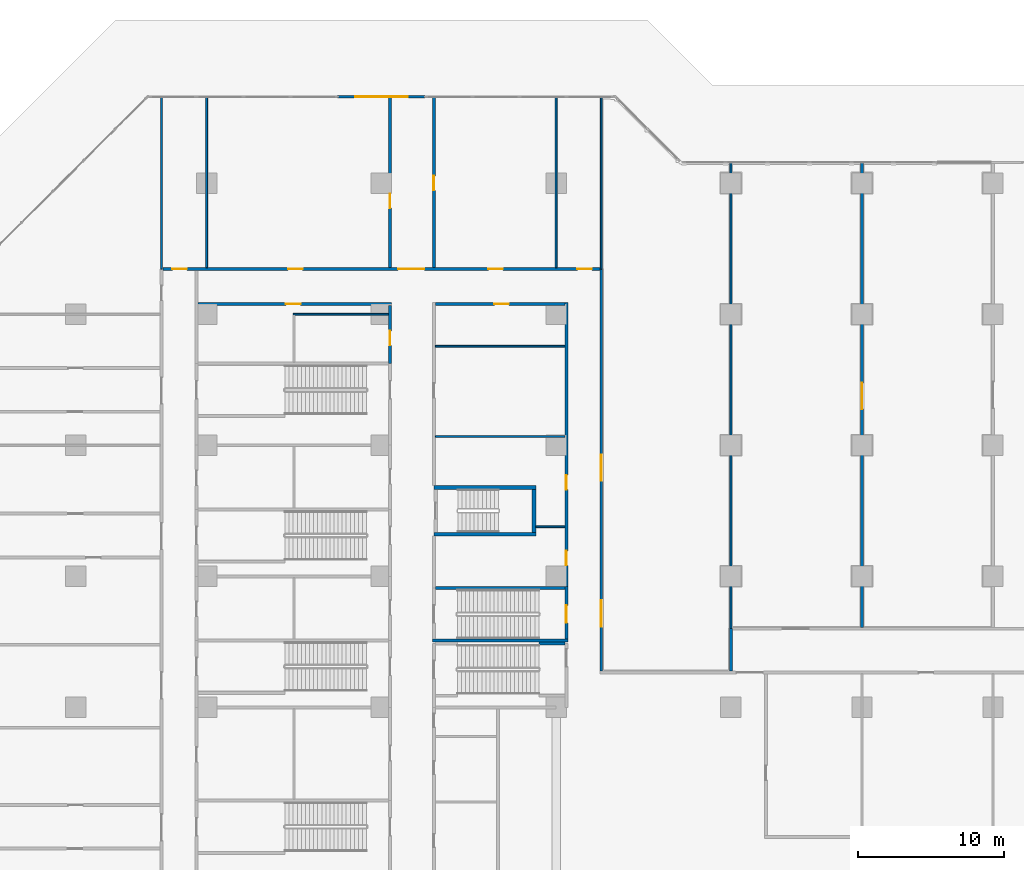
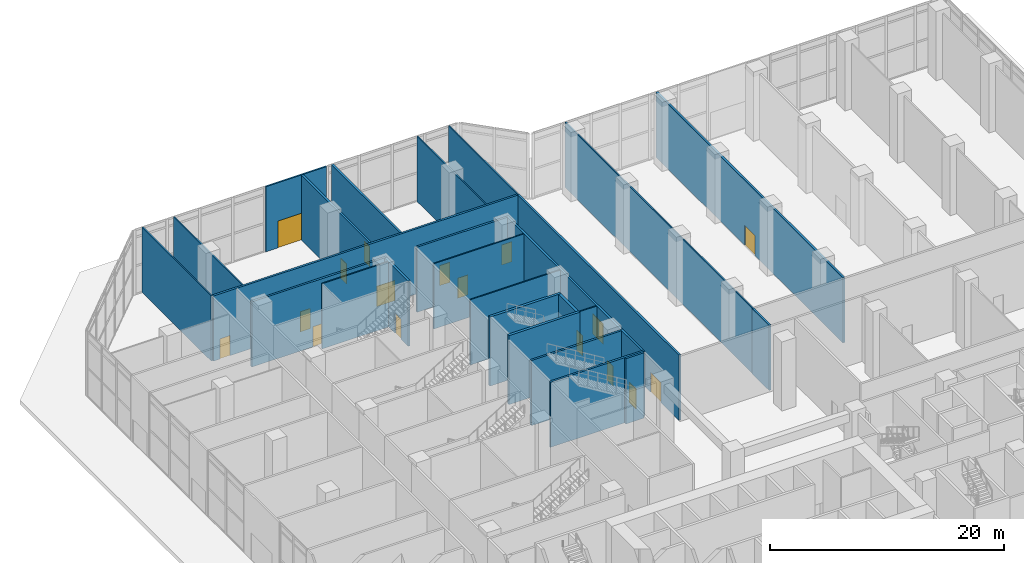
# One storey, part 25 of 34: 27 walls, 17 doors, 17 openings.
"""IFC4 building model written with IfcOpenShell, lengths in metres."""

from ifc_helpers import new_model, si_unit, direction, frame, frame_2d, origin, place, context, subcontext, project, spatial, rectangle, extrude, material, layer, layer_set, type_object, element, fill, save


model = new_model("IFC4")

# Units and contexts
model_context = context("Model", 3, precision=1e-05, world=origin(), true_north=direction((0.0, 1.0)))
body_context = subcontext(model_context, "Body", "Model", "MODEL_VIEW")
ifc_project = project(units=[si_unit("LENGTHUNIT", "METRE"), si_unit("AREAUNIT", "SQUARE_METRE"), si_unit("VOLUMEUNIT", "CUBIC_METRE"), si_unit("PLANEANGLEUNIT", "RADIAN"), si_unit("MASSUNIT", "GRAM", prefix="KILO")], contexts=[model_context])

# Site, building, storey
site_placement = place(None, origin())
site = spatial("IfcSite", under=ifc_project, at=site_placement, CompositionType="ELEMENT")
building_placement = place(site_placement, origin())
building = spatial("IfcBuilding", under=site, at=building_placement, Name="Chenar Terraces", CompositionType="ELEMENT")
storey_placement = place(building_placement, origin())
storey = spatial("IfcBuildingStorey", under=building, at=storey_placement, Name="L00", CompositionType="ELEMENT", Elevation=0.0)

# Walls
ifc_material_1 = material(Name="Gypsum board on steel studs with mineral wool", Category="steel")
ifc_layer_1 = layer(ifc_material_1, 0.125)
ifc_layer_set_1 = layer_set([ifc_layer_1], Name="Gypsum board on steel studs with mineral wool")
wall_type_1 = type_object("IfcWallType", Name="Acoustic partition 125", PredefinedType="PARTITIONING", material=ifc_layer_set_1)
wall_1_placement = place(storey_placement, frame((-3.10009765625, 66.10009765625, 0.0), z_axis=(0.0, 0.0, 1.0), x_axis=(0.0, 1.0, 0.0)))
element("IfcWall", 1, at=wall_1_placement, inside=storey, type_object=wall_type_1, Name="Partition L00-017", PredefinedType="PARTITIONING", context=body_context, shape_type="SweptSolid", body=[
    extrude(rectangle(XDim=11.824951171875, YDim=0.125, at=frame_2d((5.91259765625, 0.0))), origin(), (0.0, 0.0, 1.0), 6.800048828125),
])
wall_2_placement = place(storey_placement, frame((0.0, 66.199951171875, 0.0), z_axis=(0.0, 0.0, 1.0), x_axis=(0.0, 1.0, 0.0)))
element("IfcWall", 2, at=wall_2_placement, inside=storey, type_object=wall_type_1, Name="Partition L00-040", PredefinedType="PARTITIONING", context=body_context, shape_type="SweptSolid", body=[
    extrude(rectangle(XDim=11.72509765625, YDim=0.125, at=frame_2d((5.862548828125, 0.0))), origin(), (0.0, 0.0, 1.0), 6.800048828125),
])
wall_3_placement = place(storey_placement, frame((5.93798828125, 63.0, 0.0), z_axis=(0.0, 0.0, 1.0), x_axis=(1.0, 0.0, 0.0)))
element("IfcWall", 3, at=wall_3_placement, inside=storey, type_object=wall_type_1, Name="Partition L00-042", PredefinedType="PARTITIONING", context=body_context, shape_type="SweptSolid", body=[
    extrude(rectangle(XDim=6.56201171875, YDim=0.125, at=frame_2d((3.281005859375, 0.0))), origin(), (0.0, 0.0, 1.0), 6.800048828125),
])
for number, where, z_axis, x_axis, name in (
    (4, (15.699951171875, 54.60009765625, 0.0), (0.0, 0.0, 1.0), (1.0, 0.0, 0.0), "Partition L00-070"),
    (5, (15.699951171875, 60.800048828125, 0.0), (0.0, 0.0, 1.0), (1.0, 0.0, 0.0), "Partition L00-071"),
):
    element("IfcWall", number, at=place(storey_placement, frame(where, z_axis=z_axis, x_axis=x_axis)), inside=storey, type_object=wall_type_1, Name=name, PredefinedType="PARTITIONING", context=body_context, shape_type="SweptSolid", body=[
        extrude(rectangle(XDim=8.900146484375, YDim=0.125, at=frame_2d((4.4501953125, 0.0))), origin(), (0.0, 0.0, 1.0), 6.800048828125),
    ])
wall_4_placement = place(storey_placement, frame((22.60009765625, 48.39990234375, 0.0), z_axis=(0.0, 0.0, 1.0), x_axis=(1.0, 0.0, 0.0)))
element("IfcWall", 6, at=wall_4_placement, inside=storey, type_object=wall_type_1, Name="Partition L00-074", PredefinedType="PARTITIONING", context=body_context, shape_type="SweptSolid", body=[
    extrude(rectangle(XDim=2.0, YDim=0.125, at=frame_2d((1.0, 0.0))), origin(), (0.0, 0.0, 1.0), 6.800048828125),
])
wall_5_placement = place(storey_placement, frame((24.0, 66.199951171875, 0.0), z_axis=(0.0, 0.0, 1.0), x_axis=(0.0, 1.0, 0.0)))
element("IfcWall", 7, at=wall_5_placement, inside=storey, type_object=wall_type_1, Name="Partition L00-077", PredefinedType="PARTITIONING", context=body_context, shape_type="SweptSolid", body=[
    extrude(rectangle(XDim=11.72509765625, YDim=0.125, at=frame_2d((5.862548828125, 0.0))), origin(), (0.0, 0.0, 1.0), 6.800048828125),
])
wall_6_placement = place(storey_placement, frame((27.10009765625, 66.10009765625, 0.0), z_axis=(0.0, 0.0, 1.0), x_axis=(0.0, 1.0, 0.0)))
element("IfcWall", 8, at=wall_6_placement, inside=storey, type_object=wall_type_1, Name="Partition L00-083", PredefinedType="PARTITIONING", context=body_context, shape_type="SweptSolid", body=[
    extrude(rectangle(XDim=11.824951171875, YDim=0.125, at=frame_2d((5.91259765625, 0.0))), origin(), (0.0, 0.0, 1.0), 6.800048828125),
])
wall_7_placement = place(storey_placement, frame((36.0, 41.39990234375, 0.0), z_axis=(0.0, 0.0, 1.0), x_axis=(0.0, 1.0, 0.0)))
element("IfcWall", 9, at=wall_7_placement, inside=storey, type_object=wall_type_1, Name="Partition L00-092", PredefinedType="PARTITIONING", context=body_context, shape_type="SweptSolid", body=[
    extrude(rectangle(XDim=32.025146484375, YDim=0.125, at=frame_2d((16.0126953125, 0.0))), origin(), (0.0, 0.0, 1.0), 6.800048828125),
])
ifc_material_2 = material(Name="Concrete C70/85", Category="concrete")
ifc_layer_2 = layer(ifc_material_2, 0.25)
ifc_layer_set_2 = layer_set([ifc_layer_2], Name="Concrete C70/85")
wall_type_2 = type_object("IfcWallType", Name="Core wall 250 Concrete C70/85", PredefinedType="SHEAR", material=ifc_layer_set_2)
for number, where, z_axis, x_axis, name in (
    (10, (15.60009765625, 47.89990234375, 0.0), (0.0, 0.0, 1.0), (1.0, 0.0, 0.0), "Core wall ST4_S L00"),
    (11, (15.60009765625, 51.10009765625, 0.0), (0.0, 0.0, 1.0), (1.0, 0.0, 0.0), "Core wall ST4_N L00"),
):
    element("IfcWall", number, at=place(storey_placement, frame(where, z_axis=z_axis, x_axis=x_axis)), inside=storey, type_object=wall_type_2, Name=name, PredefinedType="SHEAR", context=body_context, shape_type="SweptSolid", body=[
        extrude(rectangle(XDim=7.0, YDim=0.25, at=frame_2d((3.5, 0.0))), origin(), (0.0, 0.0, 1.0), 7.199951171875),
    ])
wall_8_placement = place(storey_placement, frame((22.47509765625, 48.02490234375, 0.0), z_axis=(0.0, 0.0, 1.0), x_axis=(0.0, 1.0, 0.0)))
element("IfcWall", 12, at=wall_8_placement, inside=storey, type_object=wall_type_2, Name="Core wall ST4_E L00", PredefinedType="SHEAR", context=body_context, shape_type="SweptSolid", body=[
    extrude(rectangle(XDim=2.9501953125, YDim=0.25, at=frame_2d((1.47509765625, 0.0))), origin(), (0.0, 0.0, 1.0), 7.199951171875),
])

# Wall, openings, doors
ifc_material_3 = material(Name="Gypsum board on steel studs with fire boards", Category="steel")
ifc_layer_3 = layer(ifc_material_3, 0.199951171875)
ifc_layer_set_3 = layer_set([ifc_layer_3], Name="Gypsum board on steel studs with fire boards")
wall_type_3 = type_object("IfcWallType", Name="Corridor wall 200", PredefinedType="PARTITIONING", material=ifc_layer_set_3)
wall_9_placement = place(storey_placement, frame((-3.0, 66.10009765625, 0.0), z_axis=(0.0, 0.0, 1.0), x_axis=(1.0, 0.0, 0.0)))
wall_9 = element("IfcWall", 13, at=wall_9_placement, inside=storey, type_object=wall_type_3, Name="Partition L00-018", PredefinedType="PARTITIONING", context=body_context, shape_type="SweptSolid", body=[
    extrude(rectangle(XDim=30.0, YDim=0.199951171875, at=frame_2d((15.0, 0.0))), origin(), (0.0, 0.0, 1.0), 6.800048828125),
])
opening_1_placement = place(wall_9_placement, frame((0.64990234375, 0.0, 0.0)))
opening_1 = element("IfcOpeningElement", 14, at=opening_1_placement, cuts=wall_9, Name="Opening DL00-55", PredefinedType="OPENING", context=body_context, shape_type="SweptSolid", body=[
    extrude(rectangle(XDim=1.0, YDim=2.10009765625, at=frame_2d((0.5, 1.050048828125))), frame((0.0, 0.10986328125, 0.0), z_axis=(0.0, -1.0, 0.0), x_axis=(1.0, 0.0, 0.0)), (0.0, 0.0, 1.0), 0.219970703125),
])
opening_2_placement = place(wall_9_placement, frame((8.60009765625, 0.0, 0.0)))
opening_2 = element("IfcOpeningElement", 15, at=opening_2_placement, cuts=wall_9, Name="Opening DL00-56", PredefinedType="OPENING", context=body_context, shape_type="SweptSolid", body=[
    extrude(rectangle(XDim=1.0, YDim=2.10009765625, at=frame_2d((0.5, 1.050048828125))), frame((0.0, 0.10986328125, 0.0), z_axis=(0.0, -1.0, 0.0), x_axis=(1.0, 0.0, 0.0)), (0.0, 0.0, 1.0), 0.219970703125),
])
opening_3_placement = place(wall_9_placement, frame((22.35009765625, 0.0, 0.0)))
opening_3 = element("IfcOpeningElement", 16, at=opening_3_placement, cuts=wall_9, Name="Opening DL00-59", PredefinedType="OPENING", context=body_context, shape_type="SweptSolid", body=[
    extrude(rectangle(XDim=1.0, YDim=2.10009765625, at=frame_2d((0.5, 1.050048828125))), frame((0.0, 0.10986328125, 0.0), z_axis=(0.0, -1.0, 0.0), x_axis=(1.0, 0.0, 0.0)), (0.0, 0.0, 1.0), 0.219970703125),
])
opening_4_placement = place(wall_9_placement, frame((28.449951171875, 0.0, 0.0)))
opening_4 = element("IfcOpeningElement", 17, at=opening_4_placement, cuts=wall_9, Name="Opening DL00-60", PredefinedType="OPENING", context=body_context, shape_type="SweptSolid", body=[
    extrude(rectangle(XDim=1.0, YDim=2.10009765625, at=frame_2d((0.5, 1.050048828125))), frame((0.0, 0.10986328125, 0.0), z_axis=(0.0, -1.0, 0.0), x_axis=(1.0, 0.0, 0.0)), (0.0, 0.0, 1.0), 0.219970703125),
])
opening_5_placement = place(wall_9_placement, frame((16.14990234375, 0.0, 0.0)))
opening_5 = element("IfcOpeningElement", 18, at=opening_5_placement, cuts=wall_9, Name="Opening DL00-103", PredefinedType="OPENING", context=body_context, shape_type="SweptSolid", body=[
    extrude(rectangle(XDim=1.800048828125, YDim=2.10009765625, at=frame_2d((0.89990234375, 1.050048828125))), frame((0.0, 0.10986328125, 0.0), z_axis=(0.0, -1.0, 0.0), x_axis=(1.0, 0.0, 0.0)), (0.0, 0.0, 1.0), 0.219970703125),
])
ifc_material_4 = material(Name="Steel-framed fire-resisting door leaf", Category="steel")
door_type_1 = type_object("IfcDoorType", Name="Fire door FD60 1000 x 2100", OperationType="SINGLE_SWING_LEFT", PredefinedType="DOOR", material=ifc_material_4)
door_1_placement = place(opening_1_placement, origin())
door_1 = element("IfcDoor", 19, at=door_1_placement, inside=storey, type_object=door_type_1, Name="Door DL00-55", OperationType="SINGLE_SWING_LEFT", OverallHeight=2.10009765625, OverallWidth=1.0, PredefinedType="DOOR", context=body_context, shape_type="SweptSolid", body=[
    extrude(rectangle(XDim=1.0, YDim=2.10009765625, at=frame_2d((0.5, 1.050048828125))), frame((0.0, 0.02490234375, 0.0), z_axis=(0.0, -1.0, 0.0), x_axis=(1.0, 0.0, 0.0)), (0.0, 0.0, 1.0), 0.050048828125),
])
fill(opening_1, door_1)
door_2_placement = place(opening_2_placement, origin())
door_2 = element("IfcDoor", 20, at=door_2_placement, inside=storey, type_object=door_type_1, Name="Door DL00-56", OperationType="SINGLE_SWING_RIGHT", OverallHeight=2.10009765625, OverallWidth=1.0, PredefinedType="DOOR", context=body_context, shape_type="SweptSolid", body=[
    extrude(rectangle(XDim=1.0, YDim=2.10009765625, at=frame_2d((0.5, 1.050048828125))), frame((0.0, 0.02490234375, 0.0), z_axis=(0.0, -1.0, 0.0), x_axis=(1.0, 0.0, 0.0)), (0.0, 0.0, 1.0), 0.050048828125),
])
fill(opening_2, door_2)
door_3_placement = place(opening_3_placement, origin())
door_3 = element("IfcDoor", 21, at=door_3_placement, inside=storey, type_object=door_type_1, Name="Door DL00-59", OperationType="SINGLE_SWING_RIGHT", OverallHeight=2.10009765625, OverallWidth=1.0, PredefinedType="DOOR", context=body_context, shape_type="SweptSolid", body=[
    extrude(rectangle(XDim=1.0, YDim=2.10009765625, at=frame_2d((0.5, 1.050048828125))), frame((0.0, 0.02490234375, 0.0), z_axis=(0.0, -1.0, 0.0), x_axis=(1.0, 0.0, 0.0)), (0.0, 0.0, 1.0), 0.050048828125),
])
fill(opening_3, door_3)
door_4_placement = place(opening_4_placement, origin())
door_4 = element("IfcDoor", 22, at=door_4_placement, inside=storey, type_object=door_type_1, Name="Door DL00-60", OperationType="SINGLE_SWING_RIGHT", OverallHeight=2.10009765625, OverallWidth=1.0, PredefinedType="DOOR", context=body_context, shape_type="SweptSolid", body=[
    extrude(rectangle(XDim=1.0, YDim=2.10009765625, at=frame_2d((0.5, 1.050048828125))), frame((0.0, 0.02490234375, 0.0), z_axis=(0.0, -1.0, 0.0), x_axis=(1.0, 0.0, 0.0)), (0.0, 0.0, 1.0), 0.050048828125),
])
fill(opening_4, door_4)
ifc_material_5 = material(Name="Steel-framed fire-resisting door leaf", Category="steel")
door_type_2 = type_object("IfcDoorType", Name="Fire double door FD60 1800 x 2100", OperationType="DOUBLE_DOOR_SINGLE_SWING", PredefinedType="DOOR", material=ifc_material_5)
door_5_placement = place(opening_5_placement, origin())
door_5 = element("IfcDoor", 23, at=door_5_placement, inside=storey, type_object=door_type_2, Name="Door DL00-103", OperationType="DOUBLE_DOOR_SINGLE_SWING", OverallHeight=2.10009765625, OverallWidth=1.800048828125, PredefinedType="DOOR", context=body_context, shape_type="SweptSolid", body=[
    extrude(rectangle(XDim=1.800048828125, YDim=2.10009765625, at=frame_2d((0.89990234375, 1.050048828125))), frame((0.0, 0.02490234375, 0.0), z_axis=(0.0, -1.0, 0.0), x_axis=(1.0, 0.0, 0.0)), (0.0, 0.0, 1.0), 0.050048828125),
])
fill(opening_5, door_5)

# Wall, opening, door
wall_10_placement = place(storey_placement, frame((-0.60009765625, 63.699951171875, 0.0), z_axis=(0.0, 0.0, 1.0), x_axis=(1.0, 0.0, 0.0)))
wall_10 = element("IfcWall", 24, at=wall_10_placement, inside=storey, type_object=wall_type_3, Name="Partition L00-039", PredefinedType="PARTITIONING", context=body_context, shape_type="SweptSolid", body=[
    extrude(rectangle(XDim=13.300048828125, YDim=0.199951171875, at=frame_2d((6.64990234375, 0.0))), origin(), (0.0, 0.0, 1.0), 6.800048828125),
])
opening_6_placement = place(wall_10_placement, frame((6.050048828125, 0.0, 0.0)))
opening_6 = element("IfcOpeningElement", 25, at=opening_6_placement, cuts=wall_10, Name="Opening DL00-38", PredefinedType="OPENING", context=body_context, shape_type="SweptSolid", body=[
    extrude(rectangle(XDim=1.0, YDim=2.10009765625, at=frame_2d((0.5, 1.050048828125))), frame((0.0, 0.10986328125, 0.0), z_axis=(0.0, -1.0, 0.0), x_axis=(1.0, 0.0, 0.0)), (0.0, 0.0, 1.0), 0.219970703125),
])
door_6_placement = place(opening_6_placement, origin())
door_6 = element("IfcDoor", 26, at=door_6_placement, inside=storey, type_object=door_type_1, Name="Door DL00-38", OperationType="SINGLE_SWING_RIGHT", OverallHeight=2.10009765625, OverallWidth=1.0, PredefinedType="DOOR", context=body_context, shape_type="SweptSolid", body=[
    extrude(rectangle(XDim=1.0, YDim=2.10009765625, at=frame_2d((0.5, 1.050048828125))), frame((0.0, 0.02490234375, 0.0), z_axis=(0.0, -1.0, 0.0), x_axis=(1.0, 0.0, 0.0)), (0.0, 0.0, 1.0), 0.050048828125),
])
fill(opening_6, door_6)

wall_11_placement = place(storey_placement, frame((12.60009765625, 59.60009765625, 0.0), z_axis=(0.0, 0.0, 1.0), x_axis=(0.0, 1.0, 0.0)))
wall_11 = element("IfcWall", 27, at=wall_11_placement, inside=storey, type_object=wall_type_3, Name="Partition L00-056", PredefinedType="PARTITIONING", context=body_context, shape_type="SweptSolid", body=[
    extrude(rectangle(XDim=4.0, YDim=0.199951171875, at=frame_2d((2.0, 0.0))), origin(), (0.0, 0.0, 1.0), 6.800048828125),
])
opening_7_placement = place(wall_11_placement, frame((1.25, 0.0, 0.0)))
opening_7 = element("IfcOpeningElement", 28, at=opening_7_placement, cuts=wall_11, Name="Opening DL00-13", PredefinedType="OPENING", context=body_context, shape_type="SweptSolid", body=[
    extrude(rectangle(XDim=1.0, YDim=2.10009765625, at=frame_2d((0.5, 1.050048828125))), frame((0.0, 0.10986328125, 0.0), z_axis=(0.0, -1.0, 0.0), x_axis=(1.0, 0.0, 0.0)), (0.0, 0.0, 1.0), 0.219970703125),
])
door_7_placement = place(opening_7_placement, origin())
door_7 = element("IfcDoor", 29, at=door_7_placement, inside=storey, type_object=door_type_1, Name="Door DL00-13", OperationType="SINGLE_SWING_RIGHT", OverallHeight=2.10009765625, OverallWidth=1.0, PredefinedType="DOOR", context=body_context, shape_type="SweptSolid", body=[
    extrude(rectangle(XDim=1.0, YDim=2.10009765625, at=frame_2d((0.5, 1.050048828125))), frame((0.0, 0.02490234375, 0.0), z_axis=(0.0, -1.0, 0.0), x_axis=(1.0, 0.0, 0.0)), (0.0, 0.0, 1.0), 0.050048828125),
])
fill(opening_7, door_7)

wall_12_placement = place(storey_placement, frame((12.60009765625, 66.199951171875, 0.0), z_axis=(0.0, 0.0, 1.0), x_axis=(0.0, 1.0, 0.0)))
wall_12 = element("IfcWall", 30, at=wall_12_placement, inside=storey, type_object=wall_type_3, Name="Partition L00-057", PredefinedType="PARTITIONING", context=body_context, shape_type="SweptSolid", body=[
    extrude(rectangle(XDim=11.651123046875, YDim=0.199951171875, at=frame_2d((5.82568359375, 0.0))), origin(), (0.0, 0.0, 1.0), 6.800048828125),
])
opening_8_placement = place(wall_12_placement, frame((4.074951171875, 0.0, 0.0)))
opening_8 = element("IfcOpeningElement", 31, at=opening_8_placement, cuts=wall_12, Name="Opening DL00-57", PredefinedType="OPENING", context=body_context, shape_type="SweptSolid", body=[
    extrude(rectangle(XDim=1.0, YDim=2.10009765625, at=frame_2d((0.5, 1.050048828125))), frame((0.0, 0.10986328125, 0.0), z_axis=(0.0, -1.0, 0.0), x_axis=(1.0, 0.0, 0.0)), (0.0, 0.0, 1.0), 0.219970703125),
])
door_8_placement = place(opening_8_placement, origin())
door_8 = element("IfcDoor", 32, at=door_8_placement, inside=storey, type_object=door_type_1, Name="Door DL00-57", OperationType="SINGLE_SWING_RIGHT", OverallHeight=2.10009765625, OverallWidth=1.0, PredefinedType="DOOR", context=body_context, shape_type="SweptSolid", body=[
    extrude(rectangle(XDim=1.0, YDim=2.10009765625, at=frame_2d((0.5, 1.050048828125))), frame((0.0, 0.02490234375, 0.0), z_axis=(0.0, -1.0, 0.0), x_axis=(1.0, 0.0, 0.0)), (0.0, 0.0, 1.0), 0.050048828125),
])
fill(opening_8, door_8)

wall_13_placement = place(storey_placement, frame((15.60009765625, 66.199951171875, 0.0), z_axis=(0.0, 0.0, 1.0), x_axis=(0.0, 1.0, 0.0)))
wall_13 = element("IfcWall", 33, at=wall_13_placement, inside=storey, type_object=wall_type_3, Name="Partition L00-064", PredefinedType="PARTITIONING", context=body_context, shape_type="SweptSolid", body=[
    extrude(rectangle(XDim=11.72509765625, YDim=0.199951171875, at=frame_2d((5.862548828125, 0.0))), origin(), (0.0, 0.0, 1.0), 6.800048828125),
])
opening_9_placement = place(wall_13_placement, frame((5.300048828125, 0.0, 0.0)))
opening_9 = element("IfcOpeningElement", 34, at=opening_9_placement, cuts=wall_13, Name="Opening DL00-58", PredefinedType="OPENING", context=body_context, shape_type="SweptSolid", body=[
    extrude(rectangle(XDim=1.0, YDim=2.10009765625, at=frame_2d((0.5, 1.050048828125))), frame((0.0, 0.10986328125, 0.0), z_axis=(0.0, -1.0, 0.0), x_axis=(1.0, 0.0, 0.0)), (0.0, 0.0, 1.0), 0.219970703125),
])
door_9_placement = place(opening_9_placement, frame((1.0, 0.0, 0.0), z_axis=(0.0, 0.0, 1.0), x_axis=(-1.0, 0.0, 0.0)))
door_9 = element("IfcDoor", 35, at=door_9_placement, inside=storey, type_object=door_type_1, Name="Door DL00-58", OperationType="SINGLE_SWING_RIGHT", OverallHeight=2.10009765625, OverallWidth=1.0, PredefinedType="DOOR", context=body_context, shape_type="SweptSolid", body=[
    extrude(rectangle(XDim=1.0, YDim=2.10009765625, at=frame_2d((0.5, 1.050048828125))), frame((0.0, 0.02490234375, 0.0), z_axis=(0.0, -1.0, 0.0), x_axis=(1.0, 0.0, 0.0)), (0.0, 0.0, 1.0), 0.050048828125),
])
fill(opening_9, door_9)

wall_14_placement = place(storey_placement, frame((15.699951171875, 63.699951171875, 0.0), z_axis=(0.0, 0.0, 1.0), x_axis=(1.0, 0.0, 0.0)))
wall_14 = element("IfcWall", 36, at=wall_14_placement, inside=storey, type_object=wall_type_3, Name="Partition L00-072", PredefinedType="PARTITIONING", context=body_context, shape_type="SweptSolid", body=[
    extrude(rectangle(XDim=8.900146484375, YDim=0.199951171875, at=frame_2d((4.4501953125, 0.0))), origin(), (0.0, 0.0, 1.0), 6.800048828125),
])
opening_10_placement = place(wall_14_placement, frame((4.050048828125, 0.0, 0.0)))
opening_10 = element("IfcOpeningElement", 37, at=opening_10_placement, cuts=wall_14, Name="Opening DL00-26", PredefinedType="OPENING", context=body_context, shape_type="SweptSolid", body=[
    extrude(rectangle(XDim=1.0, YDim=2.10009765625, at=frame_2d((0.5, 1.050048828125))), frame((0.0, 0.10986328125, 0.0), z_axis=(0.0, -1.0, 0.0), x_axis=(1.0, 0.0, 0.0)), (0.0, 0.0, 1.0), 0.219970703125),
])
door_10_placement = place(opening_10_placement, frame((1.0, 0.0, 0.0), z_axis=(0.0, 0.0, 1.0), x_axis=(-1.0, 0.0, 0.0)))
door_10 = element("IfcDoor", 38, at=door_10_placement, inside=storey, type_object=door_type_1, Name="Door DL00-26", OperationType="SINGLE_SWING_LEFT", OverallHeight=2.10009765625, OverallWidth=1.0, PredefinedType="DOOR", context=body_context, shape_type="SweptSolid", body=[
    extrude(rectangle(XDim=1.0, YDim=2.10009765625, at=frame_2d((0.5, 1.050048828125))), frame((0.0, 0.02490234375, 0.0), z_axis=(0.0, -1.0, 0.0), x_axis=(1.0, 0.0, 0.0)), (0.0, 0.0, 1.0), 0.050048828125),
])
fill(opening_10, door_10)

# Wall, openings, doors
wall_15_placement = place(storey_placement, frame((24.699951171875, 44.300048828125, 0.0), z_axis=(0.0, 0.0, 1.0), x_axis=(0.0, 1.0, 0.0)))
wall_15 = element("IfcWall", 39, at=wall_15_placement, inside=storey, type_object=wall_type_3, Name="Partition L00-080", PredefinedType="PARTITIONING", context=body_context, shape_type="SweptSolid", body=[
    extrude(rectangle(XDim=19.5, YDim=0.199951171875, at=frame_2d((9.75, 0.0))), origin(), (0.0, 0.0, 1.0), 6.800048828125),
])
opening_11_placement = place(wall_15_placement, frame((1.449951171875, 0.0, 0.0)))
opening_11 = element("IfcOpeningElement", 40, at=opening_11_placement, cuts=wall_15, Name="Opening DL00-23", PredefinedType="OPENING", context=body_context, shape_type="SweptSolid", body=[
    extrude(rectangle(XDim=1.0, YDim=2.10009765625, at=frame_2d((0.5, 1.050048828125))), frame((0.0, 0.10986328125, 0.0), z_axis=(0.0, -1.0, 0.0), x_axis=(1.0, 0.0, 0.0)), (0.0, 0.0, 1.0), 0.219970703125),
])
opening_12_placement = place(wall_15_placement, frame((6.64990234375, 0.0, 0.0)))
opening_12 = element("IfcOpeningElement", 41, at=opening_12_placement, cuts=wall_15, Name="Opening DL00-24", PredefinedType="OPENING", context=body_context, shape_type="SweptSolid", body=[
    extrude(rectangle(XDim=1.0, YDim=2.10009765625, at=frame_2d((0.5, 1.050048828125))), frame((0.0, 0.10986328125, 0.0), z_axis=(0.0, -1.0, 0.0), x_axis=(1.0, 0.0, 0.0)), (0.0, 0.0, 1.0), 0.219970703125),
])
door_11_placement = place(opening_11_placement, origin())
door_11 = element("IfcDoor", 42, at=door_11_placement, inside=storey, type_object=door_type_1, Name="Door DL00-23", OperationType="SINGLE_SWING_LEFT", OverallHeight=2.10009765625, OverallWidth=1.0, PredefinedType="DOOR", context=body_context, shape_type="SweptSolid", body=[
    extrude(rectangle(XDim=1.0, YDim=2.10009765625, at=frame_2d((0.5, 1.050048828125))), frame((0.0, 0.02490234375, 0.0), z_axis=(0.0, -1.0, 0.0), x_axis=(1.0, 0.0, 0.0)), (0.0, 0.0, 1.0), 0.050048828125),
])
fill(opening_11, door_11)
door_12_placement = place(opening_12_placement, origin())
door_12 = element("IfcDoor", 43, at=door_12_placement, inside=storey, type_object=door_type_1, Name="Door DL00-24", OperationType="SINGLE_SWING_RIGHT", OverallHeight=2.10009765625, OverallWidth=1.0, PredefinedType="DOOR", context=body_context, shape_type="SweptSolid", body=[
    extrude(rectangle(XDim=1.0, YDim=2.10009765625, at=frame_2d((0.5, 1.050048828125))), frame((0.0, 0.02490234375, 0.0), z_axis=(0.0, -1.0, 0.0), x_axis=(1.0, 0.0, 0.0)), (0.0, 0.0, 1.0), 0.050048828125),
])
fill(opening_12, door_12)

wall_16_placement = place(storey_placement, frame((27.10009765625, 38.5, 0.0), z_axis=(0.0, 0.0, 1.0), x_axis=(0.0, 1.0, 0.0)))
wall_16 = element("IfcWall", 44, at=wall_16_placement, inside=storey, type_object=wall_type_3, Name="Partition L00-082", PredefinedType="PARTITIONING", context=body_context, shape_type="SweptSolid", body=[
    extrude(rectangle(XDim=27.60009765625, YDim=0.199951171875, at=frame_2d((13.800048828125, 0.0))), origin(), (0.0, 0.0, 1.0), 6.800048828125),
])
opening_13_placement = place(wall_16_placement, frame((13.050048828125, 0.0, 0.0)))
opening_13 = element("IfcOpeningElement", 45, at=opening_13_placement, cuts=wall_16, Name="Opening DL00-14", PredefinedType="OPENING", context=body_context, shape_type="SweptSolid", body=[
    extrude(rectangle(XDim=1.800048828125, YDim=2.10009765625, at=frame_2d((0.89990234375, 1.050048828125))), frame((0.0, 0.10986328125, 0.0), z_axis=(0.0, -1.0, 0.0), x_axis=(1.0, 0.0, 0.0)), (0.0, 0.0, 1.0), 0.219970703125),
])
opening_14_placement = place(wall_16_placement, frame((3.050048828125, 0.0, 0.0)))
opening_14 = element("IfcOpeningElement", 46, at=opening_14_placement, cuts=wall_16, Name="Opening DL00-15", PredefinedType="OPENING", context=body_context, shape_type="SweptSolid", body=[
    extrude(rectangle(XDim=1.800048828125, YDim=2.10009765625, at=frame_2d((0.89990234375, 1.050048828125))), frame((0.0, 0.10986328125, 0.0), z_axis=(0.0, -1.0, 0.0), x_axis=(1.0, 0.0, 0.0)), (0.0, 0.0, 1.0), 0.219970703125),
])
door_13_placement = place(opening_13_placement, origin())
door_13 = element("IfcDoor", 47, at=door_13_placement, inside=storey, type_object=door_type_2, Name="Door DL00-14", OperationType="DOUBLE_DOOR_SINGLE_SWING", OverallHeight=2.10009765625, OverallWidth=1.800048828125, PredefinedType="DOOR", context=body_context, shape_type="SweptSolid", body=[
    extrude(rectangle(XDim=1.800048828125, YDim=2.10009765625, at=frame_2d((0.89990234375, 1.050048828125))), frame((0.0, 0.02490234375, 0.0), z_axis=(0.0, -1.0, 0.0), x_axis=(1.0, 0.0, 0.0)), (0.0, 0.0, 1.0), 0.050048828125),
])
fill(opening_13, door_13)
door_14_placement = place(opening_14_placement, origin())
door_14 = element("IfcDoor", 48, at=door_14_placement, inside=storey, type_object=door_type_2, Name="Door DL00-15", OperationType="DOUBLE_DOOR_SINGLE_SWING", OverallHeight=2.10009765625, OverallWidth=1.800048828125, PredefinedType="DOOR", context=body_context, shape_type="SweptSolid", body=[
    extrude(rectangle(XDim=1.800048828125, YDim=2.10009765625, at=frame_2d((0.89990234375, 1.050048828125))), frame((0.0, 0.02490234375, 0.0), z_axis=(0.0, -1.0, 0.0), x_axis=(1.0, 0.0, 0.0)), (0.0, 0.0, 1.0), 0.050048828125),
])
fill(opening_14, door_14)

# Wall
wall_17_placement = place(storey_placement, frame((36.0, 38.5, 0.0), z_axis=(0.0, 0.0, 1.0), x_axis=(0.0, 1.0, 0.0)))
element("IfcWall", 49, at=wall_17_placement, inside=storey, type_object=wall_type_3, Name="Partition L00-091", PredefinedType="PARTITIONING", context=body_context, shape_type="SweptSolid", body=[
    extrude(rectangle(XDim=2.89990234375, YDim=0.199951171875, at=frame_2d((1.449951171875, 0.0))), origin(), (0.0, 0.0, 1.0), 6.800048828125),
])

# Wall, opening, door
wall_18_placement = place(storey_placement, frame((45.0, 41.5, 0.0), z_axis=(0.0, 0.0, 1.0), x_axis=(0.0, 1.0, 0.0)))
wall_18 = element("IfcWall", 50, at=wall_18_placement, inside=storey, type_object=wall_type_3, Name="Partition L00-104", PredefinedType="PARTITIONING", context=body_context, shape_type="SweptSolid", body=[
    extrude(rectangle(XDim=31.925048828125, YDim=0.199951171875, at=frame_2d((15.96240234375, 0.0))), origin(), (0.0, 0.0, 1.0), 6.800048828125),
])
opening_15_placement = place(wall_18_placement, frame((14.97509765625, 0.0, 0.0)))
opening_15 = element("IfcOpeningElement", 51, at=opening_15_placement, cuts=wall_18, Name="Opening DL00-16", PredefinedType="OPENING", context=body_context, shape_type="SweptSolid", body=[
    extrude(rectangle(XDim=1.800048828125, YDim=2.10009765625, at=frame_2d((0.89990234375, 1.050048828125))), frame((0.0, 0.10986328125, 0.0), z_axis=(0.0, -1.0, 0.0), x_axis=(1.0, 0.0, 0.0)), (0.0, 0.0, 1.0), 0.219970703125),
])
door_15_placement = place(opening_15_placement, frame((1.800048828125, 0.0, 0.0), z_axis=(0.0, 0.0, 1.0), x_axis=(-1.0, 0.0, 0.0)))
door_15 = element("IfcDoor", 52, at=door_15_placement, inside=storey, type_object=door_type_2, Name="Door DL00-16", OperationType="DOUBLE_DOOR_SINGLE_SWING", OverallHeight=2.10009765625, OverallWidth=1.800048828125, PredefinedType="DOOR", context=body_context, shape_type="SweptSolid", body=[
    extrude(rectangle(XDim=1.800048828125, YDim=2.10009765625, at=frame_2d((0.89990234375, 1.050048828125))), frame((0.0, 0.02490234375, 0.0), z_axis=(0.0, -1.0, 0.0), x_axis=(1.0, 0.0, 0.0)), (0.0, 0.0, 1.0), 0.050048828125),
])
fill(opening_15, door_15)

ifc_material_6 = material(Name="Terracotta cladding on insulated backing", Category="masonry")
ifc_layer_4 = layer(ifc_material_6, 0.14990234375)
ifc_layer_set_4 = layer_set([ifc_layer_4], Name="Terracotta cladding on insulated backing")
wall_type_4 = type_object("IfcWallType", Name="Entrance wall 150", PredefinedType="SOLIDWALL", material=ifc_layer_set_4)
wall_19_placement = place(storey_placement, frame((15.0, 77.925048828125, 0.0), z_axis=(0.0, 0.0, 1.0), x_axis=(-1.0, 0.0, 0.0)))
wall_19 = element("IfcWall", 53, at=wall_19_placement, inside=storey, type_object=wall_type_4, Name="Entrance wall", PredefinedType="SOLIDWALL", context=body_context, shape_type="SweptSolid", body=[
    extrude(rectangle(XDim=6.0, YDim=0.14990234375, at=frame_2d((3.0, 0.0))), origin(), (0.0, 0.0, 1.0), 6.800048828125),
])
opening_16_placement = place(wall_19_placement, frame((1.199951171875, 0.0, 0.0)))
opening_16 = element("IfcOpeningElement", 54, at=opening_16_placement, cuts=wall_19, Name="Opening DL00-E2", PredefinedType="OPENING", context=body_context, shape_type="SweptSolid", body=[
    extrude(rectangle(XDim=3.60009765625, YDim=2.800048828125, at=frame_2d((1.800048828125, 1.39990234375))), frame((0.0, 0.0849609375, 0.0), z_axis=(0.0, -1.0, 0.0), x_axis=(1.0, 0.0, 0.0)), (0.0, 0.0, 1.0), 0.169921875),
])
ifc_material_7 = material(Name="Low emissivity double glazing, aluminium frame", Category="aluminium")
door_type_3 = type_object("IfcDoorType", Name="Entrance door set 3600 x 2800", OperationType="DOUBLE_DOOR_SINGLE_SWING", PredefinedType="DOOR", material=ifc_material_7)
door_16_placement = place(opening_16_placement, frame((3.60009765625, 0.0, 0.0), z_axis=(0.0, 0.0, 1.0), x_axis=(-1.0, 0.0, 0.0)))
door_16 = element("IfcDoor", 55, at=door_16_placement, inside=storey, type_object=door_type_3, Name="Entrance door", OperationType="DOUBLE_DOOR_SINGLE_SWING", OverallHeight=2.800048828125, OverallWidth=3.60009765625, PredefinedType="DOOR", context=body_context, shape_type="SweptSolid", body=[
    extrude(rectangle(XDim=3.60009765625, YDim=2.800048828125, at=frame_2d((1.800048828125, 1.39990234375))), frame((0.0, 0.02490234375, 0.0), z_axis=(0.0, -1.0, 0.0), x_axis=(1.0, 0.0, 0.0)), (0.0, 0.0, 1.0), 0.050048828125),
])
fill(opening_16, door_16)

# Walls
ifc_material_8 = material(Name="Reinforced concrete C40/50", Category="concrete")
ifc_layer_5 = layer(ifc_material_8, 0.199951171875)
ifc_layer_set_5 = layer_set([ifc_layer_5], Name="Reinforced concrete C40/50")
wall_type_5 = type_object("IfcWallType", Name="Stair enclosure wall 200 concrete", PredefinedType="SOLIDWALL", material=ifc_layer_set_5)
wall_20_placement = place(storey_placement, frame((15.5, 40.60009765625, 0.0), z_axis=(0.0, 0.0, 1.0), x_axis=(1.0, 0.0, 0.0)))
element("IfcWall", 56, at=wall_20_placement, inside=storey, type_object=wall_type_5, Name="Stair enclosure wall L00-058", PredefinedType="SOLIDWALL", context=body_context, shape_type="SweptSolid", body=[
    extrude(rectangle(XDim=9.300048828125, YDim=0.199951171875, at=frame_2d((4.64990234375, 0.0))), origin(), (0.0, 0.0, 1.0), 6.800048828125),
])
wall_21_placement = place(storey_placement, frame((15.699951171875, 44.199951171875, 0.0), z_axis=(0.0, 0.0, 1.0), x_axis=(1.0, 0.0, 0.0)))
element("IfcWall", 57, at=wall_21_placement, inside=storey, type_object=wall_type_5, Name="Stair enclosure wall L00-069", PredefinedType="SOLIDWALL", context=body_context, shape_type="SweptSolid", body=[
    extrude(rectangle(XDim=8.900146484375, YDim=0.199951171875, at=frame_2d((4.4501953125, 0.0))), origin(), (0.0, 0.0, 1.0), 6.800048828125),
])

# Wall, opening, door
wall_22_placement = place(storey_placement, frame((24.699951171875, 40.699951171875, 0.0), z_axis=(0.0, 0.0, 1.0), x_axis=(0.0, 1.0, 0.0)))
wall_22 = element("IfcWall", 58, at=wall_22_placement, inside=storey, type_object=wall_type_5, Name="Stair enclosure wall L00-079", PredefinedType="SOLIDWALL", context=body_context, shape_type="SweptSolid", body=[
    extrude(rectangle(XDim=3.60009765625, YDim=0.199951171875, at=frame_2d((1.800048828125, 0.0))), origin(), (0.0, 0.0, 1.0), 6.800048828125),
])
opening_17_placement = place(wall_22_placement, frame((1.10009765625, 0.0, 0.0)))
opening_17 = element("IfcOpeningElement", 59, at=opening_17_placement, cuts=wall_22, Name="Opening DL00-98", PredefinedType="OPENING", context=body_context, shape_type="SweptSolid", body=[
    extrude(rectangle(XDim=1.199951171875, YDim=2.10009765625, at=frame_2d((0.60009765625, 1.050048828125))), frame((0.0, 0.10986328125, 0.0), z_axis=(0.0, -1.0, 0.0), x_axis=(1.0, 0.0, 0.0)), (0.0, 0.0, 1.0), 0.219970703125),
])
ifc_material_9 = material(Name="Steel-framed fire-resisting door leaf", Category="steel")
door_type_4 = type_object("IfcDoorType", Name="Fire door FD120 1200 x 2100", OperationType="SINGLE_SWING_LEFT", PredefinedType="DOOR", material=ifc_material_9)
door_17_placement = place(opening_17_placement, origin())
door_17 = element("IfcDoor", 60, at=door_17_placement, inside=storey, type_object=door_type_4, Name="Door DL00-98", OperationType="SINGLE_SWING_LEFT", OverallHeight=2.10009765625, OverallWidth=1.199951171875, PredefinedType="DOOR", context=body_context, shape_type="SweptSolid", body=[
    extrude(rectangle(XDim=1.199951171875, YDim=2.10009765625, at=frame_2d((0.60009765625, 1.050048828125))), frame((0.0, 0.02490234375, 0.0), z_axis=(0.0, -1.0, 0.0), x_axis=(1.0, 0.0, 0.0)), (0.0, 0.0, 1.0), 0.050048828125),
])
fill(opening_17, door_17)

# Wall
wall_23_placement = place(storey_placement, frame((22.81494140625, 40.39990234375, 0.0), z_axis=(0.0, 0.0, 1.0), x_axis=(1.0, 0.0, 0.0)))
element("IfcWall", 61, at=wall_23_placement, inside=storey, type_object=wall_type_5, Name="Stair enclosure wall L00-PS7-041", PredefinedType="SOLIDWALL", context=body_context, shape_type="SweptSolid", body=[
    extrude(rectangle(XDim=1.78515625, YDim=0.199951171875, at=frame_2d((0.892578125, 0.0))), origin(), (0.0, 0.0, 1.0), 6.800048828125),
])

save(model, "model.ifc")
